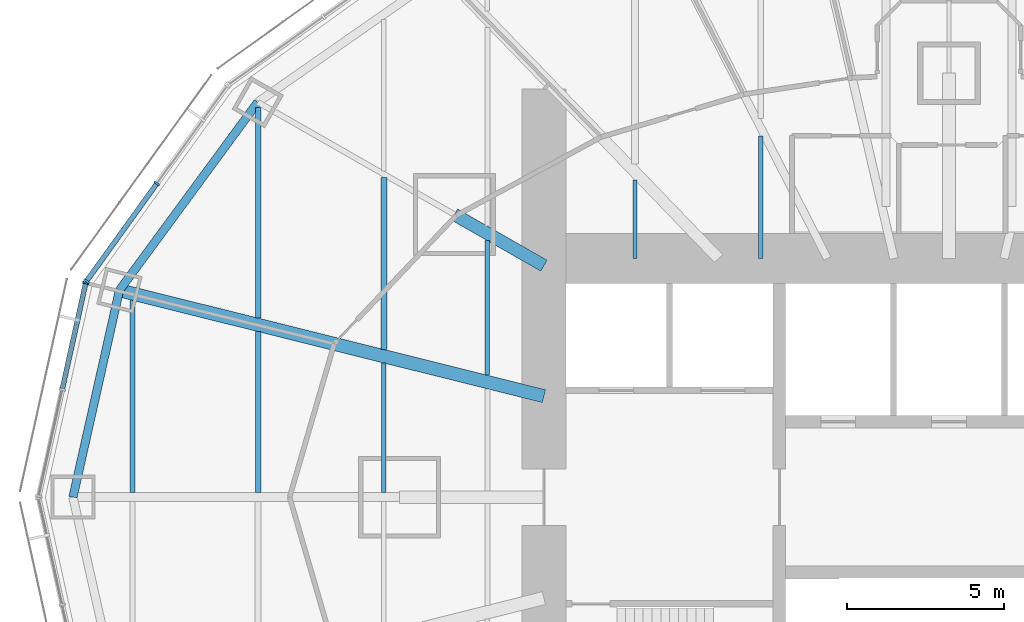
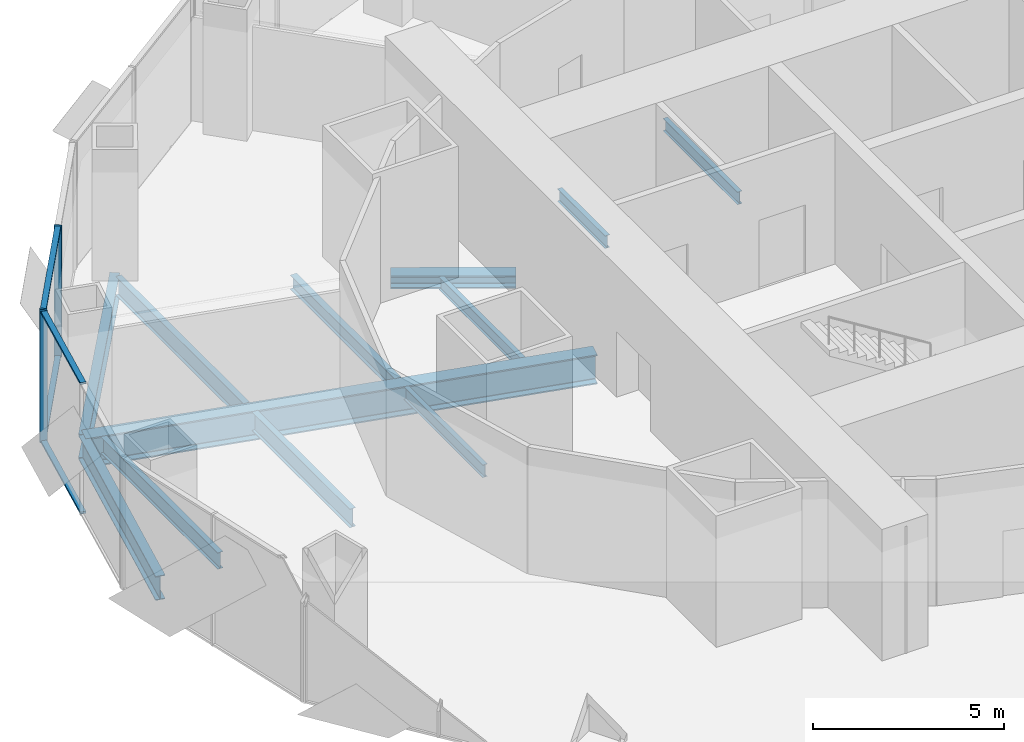
# One storey, part 4 of 18: 12 beams, 7 members, 2 elements without a shape of their own.
"""IFC4 building model written with IfcOpenShell, lengths in metres."""

from ifc_helpers import new_model, si_unit, direction, frame, origin, origin_2d, place, context, subcontext, project, spatial, rectangle, i_section, extrude, material, material_profile, profile_set, type_object, element, aggregate, save


model = new_model("IFC4")

# Units and contexts
model_context = context("Model", 3, precision=1e-05, world=origin(), true_north=direction((0.0, 1.0)))
body_context = subcontext(model_context, "Body", "Model", "MODEL_VIEW")
ifc_project = project(units=[si_unit("LENGTHUNIT", "METRE"), si_unit("AREAUNIT", "SQUARE_METRE"), si_unit("VOLUMEUNIT", "CUBIC_METRE"), si_unit("PLANEANGLEUNIT", "RADIAN"), si_unit("MASSUNIT", "GRAM", prefix="KILO")], contexts=[model_context])

# Site, building, storey
site_placement = place(None, origin())
site = spatial("IfcSite", under=ifc_project, at=site_placement, CompositionType="ELEMENT")
building_placement = place(site_placement, origin())
building = spatial("IfcBuilding", under=site, at=building_placement, Name="Lantaw Convention Tower", CompositionType="ELEMENT")
storey_placement = place(building_placement, frame((0.0, 0.0, 142.60009765625)))
storey = spatial("IfcBuildingStorey", under=building, at=storey_placement, Name="L33", CompositionType="ELEMENT", Elevation=142.60009765625)

# Beams
ifc_material_1 = material(Name="Steel ASTM A992", Category="steel")
ifc_material_profile_1 = material_profile(ifc_material_1, i_section(OverallWidth=0.2666015625, OverallDepth=0.76953125, WebThickness=0.015625, FlangeThickness=0.025390625, FilletRadius=0.0126953125, at=origin_2d()), Name="W30X132")
ifc_profile_set_1 = profile_set([ifc_material_profile_1], Name="Steel ASTM A992")
beam_type_1 = type_object("IfcBeamType", Name="Beam E W30X132", PredefinedType="SPANDREL", material=ifc_profile_set_1)
beam_1_placement = place(storey_placement, frame((-22.013916015625, 12.579345703125, -0.534912109375), z_axis=(-0.5923891972, -0.805651934176, 0.0), x_axis=(0.805651934176, -0.5923891972, 0.0)))
element("IfcBeam", 1, at=beam_1_placement, inside=storey, type_object=beam_type_1, Name="Edge beam 11", PredefinedType="SPANDREL", context=body_context, shape_type="SweptSolid", body=[
    extrude(i_section(OverallWidth=0.2666015625, OverallDepth=0.76953125, WebThickness=0.015625, FlangeThickness=0.025390625, FilletRadius=0.0126953125, at=origin_2d()), origin(), (0.0, 0.0, 1.0), 7.437744140625),
])
beam_2_placement = place(storey_placement, frame((-26.419921875, 6.587158203125, -0.534912109375), z_axis=(-0.219211877447, -0.975677279015, 0.0), x_axis=(0.975677279015, -0.219211877447, 0.0)))
element("IfcBeam", 2, at=beam_2_placement, inside=storey, type_object=beam_type_1, Name="Edge beam 12", PredefinedType="SPANDREL", context=body_context, shape_type="SweptSolid", body=[
    extrude(i_section(OverallWidth=0.2666015625, OverallDepth=0.76953125, WebThickness=0.015625, FlangeThickness=0.025390625, FilletRadius=0.0126953125, at=origin_2d()), origin(), (0.0, 0.0, 1.0), 6.75146484375),
])
ifc_material_profile_2 = material_profile(ifc_material_1, i_section(OverallWidth=0.421630859375, OverallDepth=0.937255859375, WebThickness=0.0224609375, FlangeThickness=0.039794921875, FilletRadius=0.02001953125, at=origin_2d()), Name="W36X282")
ifc_profile_set_2 = profile_set([ifc_material_profile_2], Name="Steel ASTM A992")
beam_type_2 = type_object("IfcBeamType", Name="Beam G W36X282", PredefinedType="BEAM", material=ifc_profile_set_2)
beam_3_placement = place(storey_placement, frame((-12.89990234375, 3.21630859375, -0.61865234375), z_axis=(-0.970296903132, 0.24191717544, 0.0), x_axis=(-0.24191717544, -0.970296903132, 0.0)))
element("IfcBeam", 3, at=beam_3_placement, inside=storey, type_object=beam_type_2, Name="Floor girder on ray 12", PredefinedType="BEAM", context=body_context, shape_type="SweptSolid", body=[
    extrude(i_section(OverallWidth=0.421630859375, OverallDepth=0.937255859375, WebThickness=0.0224609375, FlangeThickness=0.039794921875, FilletRadius=0.02001953125, at=origin_2d()), origin(), (0.0, 0.0, 1.0), 13.933837890625),
])
ifc_material_profile_3 = material_profile(ifc_material_1, i_section(OverallWidth=0.40380859375, OverallDepth=0.406494140625, WebThickness=0.027099609375, FlangeThickness=0.043701171875, FilletRadius=0.01513671875, at=origin_2d()), Name="W14X233")
ifc_profile_set_3 = profile_set([ifc_material_profile_3], Name="Steel ASTM A992")
beam_type_3 = type_object("IfcBeamType", Name="Beam GM W14X233", PredefinedType="BEAM", material=ifc_profile_set_3)
beam_4_placement = place(storey_placement, frame((-12.89990234375, 7.371337890625, -0.353271484375), z_axis=(-0.868238565244, 0.496146947811, 0.0), x_axis=(-0.496146947811, -0.868238565244, 0.0)))
element("IfcBeam", 4, at=beam_4_placement, inside=storey, type_object=beam_type_3, Name="Core link beam on ray 11", PredefinedType="BEAM", context=body_context, shape_type="SweptSolid", body=[
    extrude(i_section(OverallWidth=0.40380859375, OverallDepth=0.406494140625, WebThickness=0.027099609375, FlangeThickness=0.043701171875, FilletRadius=0.01513671875, at=origin_2d()), origin(), (0.0, 0.0, 1.0), 3.28271484375),
])
ifc_material_profile_4 = material_profile(ifc_material_1, i_section(OverallWidth=0.140380859375, OverallDepth=0.40380859375, WebThickness=0.007080078125, FlangeThickness=0.01123046875, FilletRadius=0.01025390625, at=origin_2d()), Name="W16X31")
ifc_profile_set_4 = profile_set([ifc_material_profile_4], Name="Steel ASTM A992")
beam_type_4 = type_object("IfcBeamType", Name="Beam J W16X31", PredefinedType="JOIST", material=ifc_profile_set_4)
beam_5_placement = place(storey_placement, frame((-18.0, 0.14599609375, -0.35205078125), z_axis=(0.0, 1.0, 0.0), x_axis=(-1.0, 0.0, 0.0)))
element("IfcBeam", 5, at=beam_5_placement, inside=storey, type_object=beam_type_4, Name="Floor joist", PredefinedType="JOIST", context=body_context, shape_type="SweptSolid", body=[
    extrude(i_section(OverallWidth=0.140380859375, OverallDepth=0.40380859375, WebThickness=0.007080078125, FlangeThickness=0.01123046875, FilletRadius=0.01025390625, at=origin_2d()), origin(), (0.0, 0.0, 1.0), 4.124755859375),
])
beam_6_placement = place(storey_placement, frame((-14.699951171875, 3.88232421875, -0.35205078125), z_axis=(0.0, 1.0, 0.0), x_axis=(-1.0, 0.0, 0.0)))
element("IfcBeam", 6, at=beam_6_placement, inside=storey, type_object=beam_type_4, Name="Floor joist", PredefinedType="JOIST", context=body_context, shape_type="SweptSolid", body=[
    extrude(i_section(OverallWidth=0.140380859375, OverallDepth=0.40380859375, WebThickness=0.007080078125, FlangeThickness=0.01123046875, FilletRadius=0.01025390625, at=origin_2d()), origin(), (0.0, 0.0, 1.0), 4.28515625),
])
beam_7_placement = place(storey_placement, frame((-10.0, 7.60009765625, -0.35205078125), z_axis=(0.0, 1.0, 0.0), x_axis=(-1.0, 0.0, 0.0)))
element("IfcBeam", 7, at=beam_7_placement, inside=storey, type_object=beam_type_4, Name="Floor joist", PredefinedType="JOIST", context=body_context, shape_type="SweptSolid", body=[
    extrude(i_section(OverallWidth=0.140380859375, OverallDepth=0.40380859375, WebThickness=0.007080078125, FlangeThickness=0.01123046875, FilletRadius=0.01025390625, at=origin_2d()), origin(), (0.0, 0.0, 1.0), 2.49560546875),
])
beam_8_placement = place(storey_placement, frame((-6.0, 7.60009765625, -0.35205078125), z_axis=(0.0, 1.0, 0.0), x_axis=(-1.0, 0.0, 0.0)))
element("IfcBeam", 8, at=beam_8_placement, inside=storey, type_object=beam_type_4, Name="Floor joist", PredefinedType="JOIST", context=body_context, shape_type="SweptSolid", body=[
    extrude(i_section(OverallWidth=0.140380859375, OverallDepth=0.40380859375, WebThickness=0.007080078125, FlangeThickness=0.01123046875, FilletRadius=0.01025390625, at=origin_2d()), origin(), (0.0, 0.0, 1.0), 3.895751953125),
])
ifc_material_profile_5 = material_profile(ifc_material_1, i_section(OverallWidth=0.1904296875, OverallDepth=0.457275390625, WebThickness=0.009033203125, FlangeThickness=0.014404296875, FilletRadius=0.01025390625, at=origin_2d()), Name="W18X50")
ifc_profile_set_5 = profile_set([ifc_material_profile_5], Name="Steel ASTM A992")
beam_type_5 = type_object("IfcBeamType", Name="Beam J W18X50", PredefinedType="JOIST", material=ifc_profile_set_5)
beam_9_placement = place(storey_placement, frame((-18.0, 4.705078125, -0.378662109375), z_axis=(0.0, 1.0, 0.0), x_axis=(-1.0, 0.0, 0.0)))
element("IfcBeam", 9, at=beam_9_placement, inside=storey, type_object=beam_type_5, Name="Floor joist", PredefinedType="JOIST", context=body_context, shape_type="SweptSolid", body=[
    extrude(i_section(OverallWidth=0.1904296875, OverallDepth=0.457275390625, WebThickness=0.009033203125, FlangeThickness=0.014404296875, FilletRadius=0.01025390625, at=origin_2d()), origin(), (0.0, 0.0, 1.0), 5.47802734375),
])
ifc_material_profile_6 = material_profile(ifc_material_1, i_section(OverallWidth=0.1650390625, OverallDepth=0.52587890625, WebThickness=0.0087890625, FlangeThickness=0.011474609375, FilletRadius=0.0126953125, at=origin_2d()), Name="W21X44")
ifc_profile_set_6 = profile_set([ifc_material_profile_6], Name="Steel ASTM A992")
beam_type_6 = type_object("IfcBeamType", Name="Beam J W21X44", PredefinedType="JOIST", material=ifc_profile_set_6)
beam_10_placement = place(storey_placement, frame((-26.0, 0.14599609375, -0.4130859375), z_axis=(0.0, 1.0, 0.0), x_axis=(-1.0, 0.0, 0.0)))
element("IfcBeam", 10, at=beam_10_placement, inside=storey, type_object=beam_type_6, Name="Floor joist", PredefinedType="JOIST", context=body_context, shape_type="SweptSolid", body=[
    extrude(i_section(OverallWidth=0.1650390625, OverallDepth=0.52587890625, WebThickness=0.0087890625, FlangeThickness=0.011474609375, FilletRadius=0.0126953125, at=origin_2d()), origin(), (0.0, 0.0, 1.0), 6.119140625),
])
ifc_material_profile_7 = material_profile(ifc_material_1, i_section(OverallWidth=0.177978515625, OverallDepth=0.599365234375, WebThickness=0.010009765625, FlangeThickness=0.012939453125, FilletRadius=0.012939453125, at=origin_2d()), Name="W24X55")
ifc_profile_set_7 = profile_set([ifc_material_profile_7], Name="Steel ASTM A992")
beam_type_7 = type_object("IfcBeamType", Name="Beam J W24X55", PredefinedType="JOIST", material=ifc_profile_set_7)
beam_11_placement = place(storey_placement, frame((-22.0, 0.14599609375, -0.44970703125), z_axis=(0.0, 1.0, 0.0), x_axis=(-1.0, 0.0, 0.0)))
element("IfcBeam", 11, at=beam_11_placement, inside=storey, type_object=beam_type_7, Name="Floor joist", PredefinedType="JOIST", context=body_context, shape_type="SweptSolid", body=[
    extrude(i_section(OverallWidth=0.177978515625, OverallDepth=0.599365234375, WebThickness=0.010009765625, FlangeThickness=0.012939453125, FilletRadius=0.012939453125, at=origin_2d()), origin(), (0.0, 0.0, 1.0), 5.121826171875),
])
beam_12_placement = place(storey_placement, frame((-22.0, 5.702392578125, -0.44970703125), z_axis=(0.0, 1.0, 0.0), x_axis=(-1.0, 0.0, 0.0)))
element("IfcBeam", 12, at=beam_12_placement, inside=storey, type_object=beam_type_7, Name="Floor joist", PredefinedType="JOIST", context=body_context, shape_type="SweptSolid", body=[
    extrude(i_section(OverallWidth=0.177978515625, OverallDepth=0.599365234375, WebThickness=0.010009765625, FlangeThickness=0.012939453125, FilletRadius=0.012939453125, at=origin_2d()), origin(), (0.0, 0.0, 1.0), 6.70654296875),
])

# Curtain wall, members
ifc_material_2 = material(Name="Aluminium framed curtain wall", Category="aluminium")
curtain_wall_type = type_object("IfcCurtainWallType", Name="Office curtain wall low rise, pale aluminium", PredefinedType="USERDEFINED", material=ifc_material_2)
curtain_wall_1_placement = place(storey_placement, origin())
curtain_wall_1 = element("IfcCurtainWall", 13, at=curtain_wall_1_placement, inside=storey, type_object=curtain_wall_type, Name="Office curtain wall low rise, pale aluminium L33", ObjectType="UNITISED CURTAIN WALL", PredefinedType="USERDEFINED")
ifc_material_3 = material(Name="Aluminium 6063-T6", Category="aluminium")
ifc_material_profile_8 = material_profile(ifc_material_3, rectangle(XDim=0.199951171875, YDim=0.06494140625, at=origin_2d()), Name="CW-O1 mullion 65x200")
ifc_profile_set_8 = profile_set([ifc_material_profile_8], Name="Aluminium 6063-T6")
member_type_1 = type_object("IfcMemberType", Name="CW-O1 mullion 65x200", PredefinedType="MULLION", material=ifc_profile_set_8)
member_1_placement = place(storey_placement, frame((-25.22802734375, 9.9892578125, -0.150146484375), z_axis=(0.0, 0.0, 1.0), x_axis=(0.811384633629, -0.584512597221, 0.0)))
member_1 = element("IfcMember", 14, at=member_1_placement, type_object=member_type_1, Name="CW-O1 mullion 2", PredefinedType="MULLION", context=body_context, shape_type="SweptSolid", body=[
    extrude(rectangle(XDim=0.199951171875, YDim=0.06494140625, at=origin_2d()), origin(), (0.0, 0.0, 1.0), 4.199951171875),
])
member_2_placement = place(storey_placement, frame((-27.46826171875, 6.879638671875, -0.150146484375), z_axis=(0.0, 0.0, 1.0), x_axis=(0.811384633629, -0.584512597221, 0.0)))
member_2 = element("IfcMember", 15, at=member_2_placement, type_object=member_type_1, Name="CW-O1 mullion 3", PredefinedType="MULLION", context=body_context, shape_type="SweptSolid", body=[
    extrude(rectangle(XDim=0.199951171875, YDim=0.06494140625, at=origin_2d()), origin(), (0.0, 0.0, 1.0), 4.199951171875),
])

# Curtain wall, member
curtain_wall_2_placement = place(storey_placement, origin())
curtain_wall_2 = element("IfcCurtainWall", 16, at=curtain_wall_2_placement, inside=storey, type_object=curtain_wall_type, Name="Office curtain wall low rise, pale aluminium L33", ObjectType="UNITISED CURTAIN WALL", PredefinedType="USERDEFINED")
member_3_placement = place(storey_placement, frame((-27.494140625, 6.821533203125, -0.150146484375), z_axis=(0.0, 0.0, 1.0), x_axis=(0.9764936509, -0.215546166174, 0.0)))
member_3 = element("IfcMember", 17, at=member_3_placement, type_object=member_type_1, Name="CW-O1 mullion 1", PredefinedType="MULLION", context=body_context, shape_type="SweptSolid", body=[
    extrude(rectangle(XDim=0.199951171875, YDim=0.06494140625, at=origin_2d()), origin(), (0.0, 0.0, 1.0), 4.199951171875),
])

# Member
ifc_material_profile_9 = material_profile(ifc_material_3, rectangle(XDim=0.159912109375, YDim=0.06494140625, at=origin_2d()), Name="CW-O1 transom 65x160")
ifc_profile_set_9 = profile_set([ifc_material_profile_9], Name="Aluminium 6063-T6")
member_type_2 = type_object("IfcMemberType", Name="CW-O1 transom 65x160", PredefinedType="USERDEFINED", material=ifc_profile_set_9)
member_4_placement = place(storey_placement, frame((-25.2470703125, 9.962890625, -0.11767578125), z_axis=(-0.584512973979, -0.811384362217, 0.0), x_axis=(0.811384362217, -0.584512973979, 0.0)))
member_4 = element("IfcMember", 18, at=member_4_placement, type_object=member_type_2, Name="CW-O1 transom 2.1", ObjectType="TRANSOM", PredefinedType="USERDEFINED", context=body_context, shape_type="SweptSolid", body=[
    extrude(rectangle(XDim=0.159912109375, YDim=0.06494140625, at=origin_2d()), origin(), (0.0, 0.0, 1.0), 3.767578125),
])

member_5_placement = place(storey_placement, frame((-25.2470703125, 9.962890625, 4.017333984375), z_axis=(-0.584512973979, -0.811384362217, 0.0), x_axis=(0.811384362217, -0.584512973979, 0.0)))
member_5 = element("IfcMember", 19, at=member_5_placement, type_object=member_type_2, Name="CW-O1 transom 2.2", ObjectType="TRANSOM", PredefinedType="USERDEFINED", context=body_context, shape_type="SweptSolid", body=[
    extrude(rectangle(XDim=0.159912109375, YDim=0.06494140625, at=origin_2d()), origin(), (0.0, 0.0, 1.0), 3.767578125),
])

aggregate(curtain_wall_1, [member_1, member_2, member_4, member_5])

member_6_placement = place(storey_placement, frame((-27.501220703125, 6.789794921875, -0.11767578125), z_axis=(-0.21555115847, -0.976492548913, 0.0), x_axis=(0.976492548913, -0.21555115847, 0.0)))
member_6 = element("IfcMember", 20, at=member_6_placement, type_object=member_type_2, Name="CW-O1 transom 1.1", ObjectType="TRANSOM", PredefinedType="USERDEFINED", context=body_context, shape_type="SweptSolid", body=[
    extrude(rectangle(XDim=0.159912109375, YDim=0.06494140625, at=origin_2d()), origin(), (0.0, 0.0, 1.0), 3.411376953125),
])

member_7_placement = place(storey_placement, frame((-27.501220703125, 6.789794921875, 4.017333984375), z_axis=(-0.21555115847, -0.976492548913, 0.0), x_axis=(0.976492548913, -0.21555115847, 0.0)))
member_7 = element("IfcMember", 21, at=member_7_placement, type_object=member_type_2, Name="CW-O1 transom 1.2", ObjectType="TRANSOM", PredefinedType="USERDEFINED", context=body_context, shape_type="SweptSolid", body=[
    extrude(rectangle(XDim=0.159912109375, YDim=0.06494140625, at=origin_2d()), origin(), (0.0, 0.0, 1.0), 3.411376953125),
])

aggregate(curtain_wall_2, [member_3, member_6, member_7])

save(model, "model.ifc")
